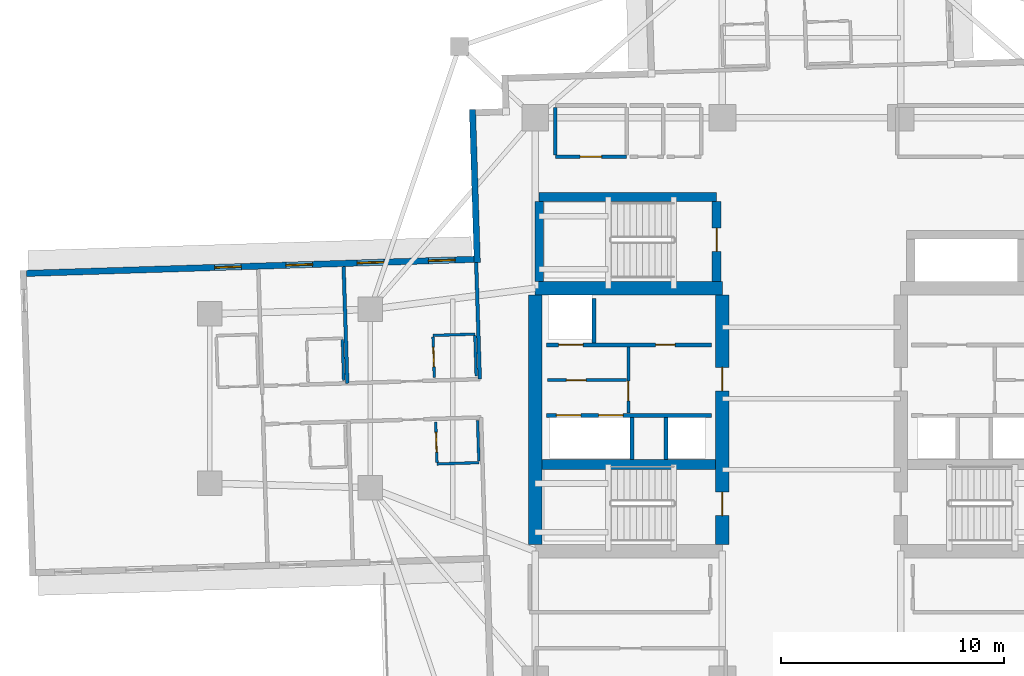
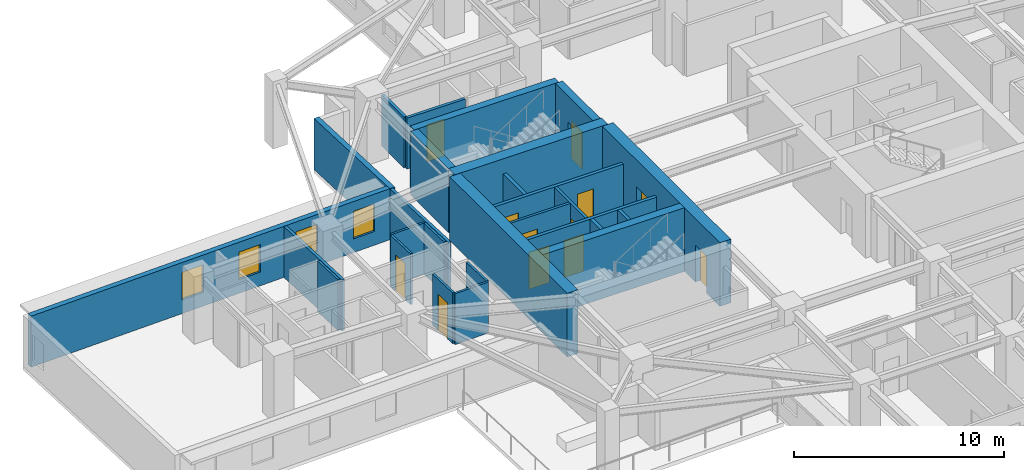
# One storey, part 5 of 14: 27 walls, 12 doors, 4 windows, 16 openings.
"""IFC4 building model written with IfcOpenShell, lengths in metres."""

from ifc_helpers import new_model, si_unit, direction, frame, frame_2d, origin, place, context, subcontext, project, spatial, rectangle, extrude, material, layer, layer_set, type_object, element, fill, save


model = new_model("IFC4")

# Units and contexts
model_context = context("Model", 3, precision=1e-05, world=origin(), true_north=direction((0.0, 1.0)))
body_context = subcontext(model_context, "Body", "Model", "MODEL_VIEW")
ifc_project = project(units=[si_unit("LENGTHUNIT", "METRE"), si_unit("AREAUNIT", "SQUARE_METRE"), si_unit("VOLUMEUNIT", "CUBIC_METRE"), si_unit("PLANEANGLEUNIT", "RADIAN"), si_unit("MASSUNIT", "GRAM", prefix="KILO")], contexts=[model_context])

# Site, building, storey
site_placement = place(None, origin())
site = spatial("IfcSite", under=ifc_project, at=site_placement, CompositionType="ELEMENT")
building_placement = place(site_placement, origin())
building = spatial("IfcBuilding", under=site, at=building_placement, Name="Qingluan Cross Belvedere", CompositionType="ELEMENT")
storey_placement = place(building_placement, frame((0.0, 0.0, 112.5)))
storey = spatial("IfcBuildingStorey", under=building, at=storey_placement, Name="L28", CompositionType="ELEMENT", Elevation=112.5)

# Walls
ifc_material_1 = material(Name="Concrete C50", Category="concrete")
ifc_layer_1 = layer(ifc_material_1, 0.449951171875, Name="CoreShearWall_450")
ifc_layer_set_1 = layer_set([ifc_layer_1], Name="Concrete C50")
wall_type_1 = type_object("IfcWallType", Name="CoreShearWall_450", PredefinedType="SHEAR", material=ifc_layer_set_1)
wall_1_placement = place(storey_placement, frame((-12.094970703125, -2.9599609375, 0.0), z_axis=(0.0, 0.0, 1.0), x_axis=(1.0, 0.0, 0.0)))
element("IfcWall", 1, at=wall_1_placement, inside=storey, type_object=wall_type_1, Name="Split core W shear wall L28-M", PredefinedType="SHEAR", context=body_context, shape_type="SweptSolid", body=[
    extrude(rectangle(XDim=7.7900390625, YDim=0.449951171875, at=frame_2d((3.89501953125, 0.0))), origin(), (0.0, 0.0, 1.0), 3.699951171875),
])
wall_2_placement = place(storey_placement, frame((-12.219970703125, 9.0400390625, 0.0), z_axis=(0.0, 0.0, 1.0), x_axis=(1.0, 0.0, 0.0)))
element("IfcWall", 2, at=wall_2_placement, inside=storey, type_object=wall_type_1, Name="Stair ST3 structural wall N L28", PredefinedType="SHEAR", context=body_context, shape_type="SweptSolid", body=[
    extrude(rectangle(XDim=7.9599609375, YDim=0.39990234375, at=frame_2d((3.97998046875, 0.0))), origin(), (0.0, 0.0, 1.0), 3.699951171875),
])
wall_3_placement = place(storey_placement, frame((-12.219970703125, 5.2548828125, 0.0), z_axis=(0.0, 0.0, 1.0), x_axis=(0.0, 1.0, 0.0)))
element("IfcWall", 3, at=wall_3_placement, inside=storey, type_object=wall_type_1, Name="Stair ST3 structural wall W L28", PredefinedType="SHEAR", context=body_context, shape_type="SweptSolid", body=[
    extrude(rectangle(XDim=3.580078125, YDim=0.39990234375, at=frame_2d((1.7900390625, 0.0))), origin(), (0.0, 0.0, 1.0), 3.699951171875),
])

# Wall, opening, door
wall_4_placement = place(storey_placement, frame((-4.260009765625, 5.2548828125, 0.0), z_axis=(0.0, 0.0, 1.0), x_axis=(0.0, 1.0, 0.0)))
wall_4 = element("IfcWall", 4, at=wall_4_placement, inside=storey, type_object=wall_type_1, Name="Stair ST3 structural wall E L28", PredefinedType="SHEAR", context=body_context, shape_type="SweptSolid", body=[
    extrude(rectangle(XDim=3.580078125, YDim=0.39990234375, at=frame_2d((1.7900390625, 0.0))), origin(), (0.0, 0.0, 1.0), 3.699951171875),
])
opening_1_placement = place(wall_4_placement, frame((1.344970703125, 0.0, 0.0)))
opening_1 = element("IfcOpeningElement", 5, at=opening_1_placement, cuts=wall_4, Name="Opening FD-B11", PredefinedType="OPENING", context=body_context, shape_type="SweptSolid", body=[
    extrude(rectangle(XDim=1.050048828125, YDim=2.14990234375, at=frame_2d((0.52490234375, 1.074951171875))), frame((0.0, 0.2099609375, 0.0), z_axis=(0.0, -1.0, 0.0), x_axis=(1.0, 0.0, 0.0)), (0.0, 0.0, 1.0), 0.419921875),
])
ifc_material_2 = material(Name="Steel Class B smoke-seal fire door", Category="steel")
door_type_1 = type_object("IfcDoorType", Name="StairLobbyFireDoor_FDB", OperationType="NOTDEFINED", PredefinedType="DOOR", material=ifc_material_2)
door_1_placement = place(opening_1_placement, origin())
door_1 = element("IfcDoor", 6, at=door_1_placement, inside=storey, type_object=door_type_1, Name="Smoke-proof stair ST3 fire door L28", OperationType="SINGLE_SWING_RIGHT", OverallHeight=2.14990234375, OverallWidth=1.050048828125, PredefinedType="DOOR", context=body_context, shape_type="SweptSolid", body=[
    extrude(rectangle(XDim=1.050048828125, YDim=2.14990234375, at=frame_2d((0.52490234375, 1.074951171875))), frame((0.0, 0.02490234375, 0.0), z_axis=(0.0, -1.0, 0.0), x_axis=(1.0, 0.0, 0.0)), (0.0, 0.0, 1.0), 0.050048828125),
])
fill(opening_1, door_1)

# Walls
ifc_material_3 = material(Name="Concrete C60", Category="concrete")
ifc_layer_2 = layer(ifc_material_3, 0.60009765625, Name="CoreShearWall_600")
ifc_layer_set_2 = layer_set([ifc_layer_2], Name="Concrete C60")
wall_type_2 = type_object("IfcWallType", Name="CoreShearWall_600", PredefinedType="SHEAR", material=ifc_layer_set_2)
wall_5_placement = place(storey_placement, frame((-12.39990234375, 4.949951171875, 0.0), z_axis=(0.0, 0.0, 1.0), x_axis=(1.0, 0.0, 0.0)))
element("IfcWall", 7, at=wall_5_placement, inside=storey, type_object=wall_type_2, Name="Split core W shear wall L28-N", PredefinedType="SHEAR", context=body_context, shape_type="SweptSolid", body=[
    extrude(rectangle(XDim=8.39990234375, YDim=0.60009765625, at=frame_2d((4.199951171875, 0.0))), origin(), (0.0, 0.0, 1.0), 3.699951171875),
])
wall_6_placement = place(storey_placement, frame((-12.39990234375, -6.544921875, 0.0), z_axis=(0.0, 0.0, 1.0), x_axis=(0.0, 1.0, 0.0)))
element("IfcWall", 8, at=wall_6_placement, inside=storey, type_object=wall_type_2, Name="Split core W shear wall L28-W", PredefinedType="SHEAR", context=body_context, shape_type="SweptSolid", body=[
    extrude(rectangle(XDim=11.18994140625, YDim=0.60009765625, at=frame_2d((5.594970703125, 0.0))), origin(), (0.0, 0.0, 1.0), 3.699951171875),
])

# Wall, openings, doors
wall_7_placement = place(storey_placement, frame((-4.0, -6.544921875, 0.0), z_axis=(0.0, 0.0, 1.0), x_axis=(0.0, 1.0, 0.0)))
wall_7 = element("IfcWall", 9, at=wall_7_placement, inside=storey, type_object=wall_type_2, Name="Split core W shear wall L28-E", PredefinedType="SHEAR", context=body_context, shape_type="SweptSolid", body=[
    extrude(rectangle(XDim=11.18994140625, YDim=0.60009765625, at=frame_2d((5.594970703125, 0.0))), origin(), (0.0, 0.0, 1.0), 3.699951171875),
])
opening_2_placement = place(wall_7_placement, frame((1.294921875, 0.0, 0.0)))
opening_2 = element("IfcOpeningElement", 10, at=opening_2_placement, cuts=wall_7, Name="Opening FD-B11", PredefinedType="OPENING", context=body_context, shape_type="SweptSolid", body=[
    extrude(rectangle(XDim=1.050048828125, YDim=2.14990234375, at=frame_2d((0.52490234375, 1.074951171875))), frame((0.0, 0.31005859375, 0.0), z_axis=(0.0, -1.0, 0.0), x_axis=(1.0, 0.0, 0.0)), (0.0, 0.0, 1.0), 0.6201171875),
])
opening_3_placement = place(wall_7_placement, frame((6.89501953125, 0.0, 0.0)))
opening_3 = element("IfcOpeningElement", 11, at=opening_3_placement, cuts=wall_7, Name="Opening FD-B11", PredefinedType="OPENING", context=body_context, shape_type="SweptSolid", body=[
    extrude(rectangle(XDim=1.050048828125, YDim=2.14990234375, at=frame_2d((0.52490234375, 1.074951171875))), frame((0.0, 0.31005859375, 0.0), z_axis=(0.0, -1.0, 0.0), x_axis=(1.0, 0.0, 0.0)), (0.0, 0.0, 1.0), 0.6201171875),
])
door_2_placement = place(opening_2_placement, origin())
door_2 = element("IfcDoor", 12, at=door_2_placement, inside=storey, type_object=door_type_1, Name="Smoke-proof stair ST1 fire door L28", OperationType="SINGLE_SWING_RIGHT", OverallHeight=2.14990234375, OverallWidth=1.050048828125, PredefinedType="DOOR", context=body_context, shape_type="SweptSolid", body=[
    extrude(rectangle(XDim=1.050048828125, YDim=2.14990234375, at=frame_2d((0.52490234375, 1.074951171875))), frame((0.0, 0.02490234375, 0.0), z_axis=(0.0, -1.0, 0.0), x_axis=(1.0, 0.0, 0.0)), (0.0, 0.0, 1.0), 0.050048828125),
])
fill(opening_2, door_2)
door_3_placement = place(opening_3_placement, origin())
door_3 = element("IfcDoor", 13, at=door_3_placement, inside=storey, type_object=door_type_1, Name="Firefighting lobby West fire door L28", OperationType="SINGLE_SWING_RIGHT", OverallHeight=2.14990234375, OverallWidth=1.050048828125, PredefinedType="DOOR", context=body_context, shape_type="SweptSolid", body=[
    extrude(rectangle(XDim=1.050048828125, YDim=2.14990234375, at=frame_2d((0.52490234375, 1.074951171875))), frame((0.0, 0.02490234375, 0.0), z_axis=(0.0, -1.0, 0.0), x_axis=(1.0, 0.0, 0.0)), (0.0, 0.0, 1.0), 0.050048828125),
])
fill(opening_3, door_3)

# Wall, opening, door
ifc_material_4 = material(Name="Gypsum plasterboard on steel stud acoustic partition", Category="steel")
ifc_layer_3 = layer(ifc_material_4, 0.159912109375, Name="CorridorPartition_160")
ifc_layer_set_3 = layer_set([ifc_layer_3], Name="Gypsum plasterboard on steel stud acoustic partition")
wall_type_3 = type_object("IfcWallType", Name="CorridorPartition_160", PredefinedType="PARTITIONING", material=ifc_layer_set_3)
wall_8_placement = place(storey_placement, frame((-11.85009765625, 0.830078125, 0.0), z_axis=(0.0, 0.0, 1.0), x_axis=(1.0, 0.0, 0.0)))
wall_8 = element("IfcWall", 14, at=wall_8_placement, inside=storey, type_object=wall_type_3, Name="Partition L28:w", PredefinedType="PARTITIONING", context=body_context, shape_type="SweptSolid", body=[
    extrude(rectangle(XDim=3.552001953125, YDim=0.139892578125, at=frame_2d((1.77587890625, 0.0))), origin(), (0.0, 0.0, 1.0), 2.9599609375),
])
opening_4_placement = place(wall_8_placement, frame((0.85009765625, 0.0, 0.0)))
opening_4 = element("IfcOpeningElement", 15, at=opening_4_placement, cuts=wall_8, Name="Opening FD-B10", PredefinedType="OPENING", context=body_context, shape_type="SweptSolid", body=[
    extrude(rectangle(XDim=0.8798828125, YDim=2.10009765625, at=frame_2d((0.43994140625, 1.050048828125))), frame((0.0, 0.079833984375, 0.0), z_axis=(0.0, -1.0, 0.0), x_axis=(1.0, 0.0, 0.0)), (0.0, 0.0, 1.0), 0.159912109375),
])
ifc_material_5 = material(Name="Steel Class B service fire door", Category="steel")
door_type_2 = type_object("IfcDoorType", Name="RiserServiceFireDoor_FDB", OperationType="NOTDEFINED", PredefinedType="DOOR", material=ifc_material_5)
door_4_placement = place(opening_4_placement, origin())
door_4 = element("IfcDoor", 16, at=door_4_placement, inside=storey, type_object=door_type_2, Name="Service closet inner door L28", OperationType="SINGLE_SWING_LEFT", OverallHeight=2.10009765625, OverallWidth=0.8798828125, PredefinedType="DOOR", context=body_context, shape_type="SweptSolid", body=[
    extrude(rectangle(XDim=0.8798828125, YDim=2.10009765625, at=frame_2d((0.43994140625, 1.050048828125))), frame((0.0, 0.02490234375, 0.0), z_axis=(0.0, -1.0, 0.0), x_axis=(1.0, 0.0, 0.0)), (0.0, 0.0, 1.0), 0.050048828125),
])
fill(opening_4, door_4)

wall_9_placement = place(storey_placement, frame((-11.5, 10.85009765625, 0.0), z_axis=(0.0, 0.0, 1.0), x_axis=(1.0, 0.0, 0.0)))
wall_9 = element("IfcWall", 17, at=wall_9_placement, inside=storey, type_object=wall_type_3, Name="Partition L28:q_nw_occ:S", PredefinedType="PARTITIONING", context=body_context, shape_type="SweptSolid", body=[
    extrude(rectangle(XDim=3.199951171875, YDim=0.159912109375, at=frame_2d((1.60009765625, 0.0))), origin(), (0.0, 0.0, 1.0), 2.9599609375),
])
opening_5_placement = place(wall_9_placement, frame((1.1201171875, 0.0, 0.0)))
opening_5 = element("IfcOpeningElement", 18, at=opening_5_placement, cuts=wall_9, Name="Opening GD-10", PredefinedType="OPENING", context=body_context, shape_type="SweptSolid", body=[
    extrude(rectangle(XDim=0.9599609375, YDim=2.14990234375, at=frame_2d((0.47998046875, 1.074951171875))), frame((0.0, 0.08984375, 0.0), z_axis=(0.0, -1.0, 0.0), x_axis=(1.0, 0.0, 0.0)), (0.0, 0.0, 1.0), 0.179931640625),
])
ifc_material_6 = material(Name="Timber oak fire-rated acoustic guestroom door", Category="wood")
door_type_3 = type_object("IfcDoorType", Name="GuestEntryDoor_FD60", OperationType="NOTDEFINED", PredefinedType="DOOR", material=ifc_material_6)
door_5_placement = place(opening_5_placement, origin())
door_5 = element("IfcDoor", 19, at=door_5_placement, inside=storey, type_object=door_type_3, Name="Northwest corner reading salon L28 door", OperationType="SINGLE_SWING_RIGHT", OverallHeight=2.14990234375, OverallWidth=0.9599609375, PredefinedType="DOOR", context=body_context, shape_type="SweptSolid", body=[
    extrude(rectangle(XDim=0.9599609375, YDim=2.14990234375, at=frame_2d((0.47998046875, 1.074951171875))), frame((0.0, 0.02490234375, 0.0), z_axis=(0.0, -1.0, 0.0), x_axis=(1.0, 0.0, 0.0)), (0.0, 0.0, 1.0), 0.050048828125),
])
fill(opening_5, door_5)

# Walls
wall_10_placement = place(storey_placement, frame((-11.5, 10.93505859375, 0.0), z_axis=(0.0, 0.0, 1.0), x_axis=(0.0, 1.0, 0.0)))
element("IfcWall", 20, at=wall_10_placement, inside=storey, type_object=wall_type_3, Name="Partition L28:q_nw_occ:W", PredefinedType="PARTITIONING", context=body_context, shape_type="SweptSolid", body=[
    extrude(rectangle(XDim=2.1298828125, YDim=0.159912109375, at=frame_2d((1.06494140625, 0.0))), origin(), (0.0, 0.0, 1.0), 2.9599609375),
])
wall_11_placement = place(storey_placement, frame((-14.884765625, 0.872802734375, 0.0), z_axis=(0.0, 0.0, 1.0), x_axis=(-0.031450353991, 0.99950531526, 0.0)))
element("IfcWall", 21, at=wall_11_placement, inside=storey, type_object=wall_type_3, Name="Partition L28:W:s0", PredefinedType="PARTITIONING", context=body_context, shape_type="SweptSolid", body=[
    extrude(rectangle(XDim=5.232177734375, YDim=0.159912109375, at=frame_2d((2.6162109375, 0.0))), origin(), (0.0, 0.0, 1.0), 2.9599609375),
])
wall_12_placement = place(storey_placement, frame((-20.831787109375, 0.68603515625, 0.0), z_axis=(0.0, 0.0, 1.0), x_axis=(-0.031405202513, 0.999506734972, 0.0)))
element("IfcWall", 22, at=wall_12_placement, inside=storey, type_object=wall_type_3, Name="Partition L28:W:d0_0", PredefinedType="PARTITIONING", context=body_context, shape_type="SweptSolid", body=[
    extrude(rectangle(XDim=5.23193359375, YDim=0.159912109375, at=frame_2d((2.615966796875, 0.0))), origin(), (0.0, 0.0, 1.0), 2.9599609375),
])

# Wall, opening, door
ifc_material_7 = material(Name="Moisture-resistant gypsum board lining")
ifc_layer_4 = layer(ifc_material_7, 0.1201171875, Name="EnsuiteWetPartition_120")
ifc_layer_set_4 = layer_set([ifc_layer_4], Name="Moisture-resistant gypsum board lining")
wall_type_4 = type_object("IfcWallType", Name="EnsuiteWetPartition_120", PredefinedType="PARTITIONING", material=ifc_layer_set_4)
wall_13_placement = place(storey_placement, frame((-16.92822265625, 0.94873046875, 0.0), z_axis=(0.0, 0.0, 1.0), x_axis=(-0.031389704724, 0.999507221803, 0.0)))
wall_13 = element("IfcWall", 23, at=wall_13_placement, inside=storey, type_object=wall_type_4, Name="Partition L28:W:bs0_0", PredefinedType="PARTITIONING", context=body_context, shape_type="SweptSolid", body=[
    extrude(rectangle(XDim=1.820068359375, YDim=0.1201171875, at=frame_2d((0.91015625, 0.0))), origin(), (0.0, 0.0, 1.0), 2.9599609375),
])
opening_6_placement = place(wall_13_placement, frame((0.469970703125, 0.0, 0.0)))
opening_6 = element("IfcOpeningElement", 24, at=opening_6_placement, cuts=wall_13, Name="Opening BD-09", PredefinedType="OPENING", context=body_context, shape_type="SweptSolid", body=[
    extrude(rectangle(XDim=0.8798828125, YDim=2.10009765625, at=frame_2d((0.43994140625, 1.050048828125))), frame((0.0, 0.070068359375, 0.0), z_axis=(0.0, -1.0, 0.0), x_axis=(1.0, 0.0, 0.0)), (0.0, 0.0, 1.0), 0.14013671875),
])
ifc_material_8 = material(Name="Moisture-sealed timber en-suite door", Category="wood")
door_type_4 = type_object("IfcDoorType", Name="BathroomDoor_880", OperationType="NOTDEFINED", PredefinedType="DOOR", material=ifc_material_8)
door_6_placement = place(opening_6_placement, origin())
door_6 = element("IfcDoor", 25, at=door_6_placement, inside=storey, type_object=door_type_4, Name="Bathroom door 2807", OperationType="SINGLE_SWING_LEFT", OverallHeight=2.10009765625, OverallWidth=0.8798828125, PredefinedType="DOOR", context=body_context, shape_type="SweptSolid", body=[
    extrude(rectangle(XDim=0.8798828125, YDim=2.10009765625, at=frame_2d((0.43994140625, 1.050048828125))), frame((0.0, 0.02490234375, 0.0), z_axis=(0.0, -1.0, 0.0), x_axis=(1.0, 0.0, 0.0)), (0.0, 0.0, 1.0), 0.050048828125),
])
fill(opening_6, door_6)

# Walls
wall_14_placement = place(storey_placement, frame((-15.049072265625, 1.0078125, 0.0), z_axis=(0.0, 0.0, 1.0), x_axis=(-0.031389704724, 0.999507221803, 0.0)))
element("IfcWall", 26, at=wall_14_placement, inside=storey, type_object=wall_type_4, Name="Partition L28:W:bw0_0", PredefinedType="PARTITIONING", context=body_context, shape_type="SweptSolid", body=[
    extrude(rectangle(XDim=1.820068359375, YDim=0.1201171875, at=frame_2d((0.91015625, 0.0))), origin(), (0.0, 0.0, 1.0), 2.9599609375),
])
wall_15_placement = place(storey_placement, frame((-15.1083984375, 2.891845703125, 0.0), z_axis=(0.0, 0.0, 1.0), x_axis=(-0.999505975261, -0.031429371883, 0.0)))
element("IfcWall", 27, at=wall_15_placement, inside=storey, type_object=wall_type_4, Name="Partition L28:W:bn0_0", PredefinedType="PARTITIONING", context=body_context, shape_type="SweptSolid", body=[
    extrude(rectangle(XDim=1.8798828125, YDim=0.1201171875, at=frame_2d((0.93994140625, 0.0))), origin(), (0.0, 0.0, 1.0), 2.9599609375),
])
wall_16_placement = place(storey_placement, frame((-20.99609375, 0.82080078125, 0.0), z_axis=(0.0, 0.0, 1.0), x_axis=(-0.031389704724, 0.999507221803, 0.0)))
element("IfcWall", 28, at=wall_16_placement, inside=storey, type_object=wall_type_4, Name="Partition L28:W:bw0_1", PredefinedType="PARTITIONING", context=body_context, shape_type="SweptSolid", body=[
    extrude(rectangle(XDim=1.820068359375, YDim=0.1201171875, at=frame_2d((0.91015625, 0.0))), origin(), (0.0, 0.0, 1.0), 2.9599609375),
])

# Wall, opening, door
wall_17_placement = place(storey_placement, frame((-16.80810546875, -2.869384765625, 0.0), z_axis=(0.0, 0.0, 1.0), x_axis=(-0.031389704724, 0.999507221803, 0.0)))
wall_17 = element("IfcWall", 29, at=wall_17_placement, inside=storey, type_object=wall_type_4, Name="Partition L28:W:bs1_0", PredefinedType="PARTITIONING", context=body_context, shape_type="SweptSolid", body=[
    extrude(rectangle(XDim=1.820068359375, YDim=0.1201171875, at=frame_2d((0.91015625, 0.0))), origin(), (0.0, 0.0, 1.0), 2.9599609375),
])
opening_7_placement = place(wall_17_placement, frame((0.469970703125, 0.0, 0.0)))
opening_7 = element("IfcOpeningElement", 30, at=opening_7_placement, cuts=wall_17, Name="Opening BD-09", PredefinedType="OPENING", context=body_context, shape_type="SweptSolid", body=[
    extrude(rectangle(XDim=0.8798828125, YDim=2.10009765625, at=frame_2d((0.43994140625, 1.050048828125))), frame((0.0, 0.070068359375, 0.0), z_axis=(0.0, -1.0, 0.0), x_axis=(1.0, 0.0, 0.0)), (0.0, 0.0, 1.0), 0.14013671875),
])
door_7_placement = place(opening_7_placement, origin())
door_7 = element("IfcDoor", 31, at=door_7_placement, inside=storey, type_object=door_type_4, Name="Bathroom door 2809", OperationType="SINGLE_SWING_LEFT", OverallHeight=2.10009765625, OverallWidth=0.8798828125, PredefinedType="DOOR", context=body_context, shape_type="SweptSolid", body=[
    extrude(rectangle(XDim=0.8798828125, YDim=2.10009765625, at=frame_2d((0.43994140625, 1.050048828125))), frame((0.0, 0.02490234375, 0.0), z_axis=(0.0, -1.0, 0.0), x_axis=(1.0, 0.0, 0.0)), (0.0, 0.0, 1.0), 0.050048828125),
])
fill(opening_7, door_7)

# Walls
wall_18_placement = place(storey_placement, frame((-14.92919921875, -2.810302734375, 0.0), z_axis=(0.0, 0.0, 1.0), x_axis=(-0.031389704724, 0.999507221803, 0.0)))
element("IfcWall", 32, at=wall_18_placement, inside=storey, type_object=wall_type_4, Name="Partition L28:W:bw1_0", PredefinedType="PARTITIONING", context=body_context, shape_type="SweptSolid", body=[
    extrude(rectangle(XDim=1.820068359375, YDim=0.1201171875, at=frame_2d((0.91015625, 0.0))), origin(), (0.0, 0.0, 1.0), 2.9599609375),
])
wall_19_placement = place(storey_placement, frame((-14.927001953125, -2.875244140625, 0.0), z_axis=(0.0, 0.0, 1.0), x_axis=(-0.999506103526, -0.031425292588, 0.0)))
element("IfcWall", 33, at=wall_19_placement, inside=storey, type_object=wall_type_4, Name="Partition L28:W:bc1_0", PredefinedType="PARTITIONING", context=body_context, shape_type="SweptSolid", body=[
    extrude(rectangle(XDim=1.880126953125, YDim=0.1201171875, at=frame_2d((0.93994140625, 0.0))), origin(), (0.0, 0.0, 1.0), 2.9599609375),
])

# Wall, openings, windows
ifc_material_9 = material(Name="Precast concrete C45", Category="concrete")
ifc_layer_5 = layer(ifc_material_9, 0.280029296875, Name="PrecastFacadeWall_280")
ifc_layer_set_5 = layer_set([ifc_layer_5], Name="Precast concrete C45")
wall_type_5 = type_object("IfcWallType", Name="PrecastFacadeWall_280", PredefinedType="STANDARD", material=ifc_layer_set_5)
wall_20_placement = place(storey_placement, frame((-15.143798828125, 6.247314453125, 0.0), z_axis=(0.0, 0.0, 1.0), x_axis=(-0.999506955354, -0.031398187845, 0.0)))
wall_20 = element("IfcWall", 34, at=wall_20_placement, inside=storey, type_object=wall_type_5, Name="Facade wall L28-WA", PredefinedType="STANDARD", context=body_context, shape_type="SweptSolid", body=[
    extrude(rectangle(XDim=20.10009765625, YDim=0.280029296875, at=frame_2d((10.050048828125, 0.0))), origin(), (0.0, 0.0, 1.0), 2.969970703125),
])
opening_8_placement = place(wall_20_placement, frame((0.85009765625, 0.0, 0.800048828125)))
opening_8 = element("IfcOpeningElement", 35, at=opening_8_placement, cuts=wall_20, Name="Opening W-02", PredefinedType="OPENING", context=body_context, shape_type="SweptSolid", body=[
    extrude(rectangle(XDim=1.199951171875, YDim=1.60009765625, at=frame_2d((0.60009765625, 0.800048828125))), frame((0.0, 0.14990234375, 0.0), z_axis=(0.0, -1.0, 0.0), x_axis=(1.0, 0.0, 0.0)), (0.0, 0.0, 1.0), 0.300048828125),
])
opening_9_placement = place(wall_20_placement, frame((4.050048828125, 0.0, 0.800048828125)))
opening_9 = element("IfcOpeningElement", 36, at=opening_9_placement, cuts=wall_20, Name="Opening W-02", PredefinedType="OPENING", context=body_context, shape_type="SweptSolid", body=[
    extrude(rectangle(XDim=1.199951171875, YDim=1.60009765625, at=frame_2d((0.60009765625, 0.800048828125))), frame((0.0, 0.14990234375, 0.0), z_axis=(0.0, -1.0, 0.0), x_axis=(1.0, 0.0, 0.0)), (0.0, 0.0, 1.0), 0.300048828125),
])
opening_10_placement = place(wall_20_placement, frame((7.25, 0.0, 0.800048828125)))
opening_10 = element("IfcOpeningElement", 37, at=opening_10_placement, cuts=wall_20, Name="Opening W-02", PredefinedType="OPENING", context=body_context, shape_type="SweptSolid", body=[
    extrude(rectangle(XDim=1.199951171875, YDim=1.60009765625, at=frame_2d((0.60009765625, 0.800048828125))), frame((0.0, 0.14990234375, 0.0), z_axis=(0.0, -1.0, 0.0), x_axis=(1.0, 0.0, 0.0)), (0.0, 0.0, 1.0), 0.300048828125),
])
opening_11_placement = place(wall_20_placement, frame((10.449951171875, 0.0, 0.800048828125)))
opening_11 = element("IfcOpeningElement", 38, at=opening_11_placement, cuts=wall_20, Name="Opening W-02", PredefinedType="OPENING", context=body_context, shape_type="SweptSolid", body=[
    extrude(rectangle(XDim=1.199951171875, YDim=1.60009765625, at=frame_2d((0.60009765625, 0.800048828125))), frame((0.0, 0.14990234375, 0.0), z_axis=(0.0, -1.0, 0.0), x_axis=(1.0, 0.0, 0.0)), (0.0, 0.0, 1.0), 0.300048828125),
])
ifc_material_10 = material(Name="Thermally broken triple Low-E glass in aluminium frame", Category="aluminium")
window_type = type_object("IfcWindowType", Name="TriRibbonWin_1200x1600", PartitioningType="SINGLE_PANEL", PredefinedType="WINDOW", material=ifc_material_10)
window_1_placement = place(opening_8_placement, origin())
window_1 = element("IfcWindow", 39, at=window_1_placement, inside=storey, type_object=window_type, Name="Ribbon window L28-WA-1", OverallHeight=1.60009765625, OverallWidth=1.199951171875, PartitioningType="SINGLE_PANEL", PredefinedType="WINDOW", context=body_context, shape_type="SweptSolid", body=[
    extrude(rectangle(XDim=1.199951171875, YDim=1.60009765625, at=frame_2d((0.60009765625, 0.800048828125))), frame((0.0, 0.030029296875, 0.0), z_axis=(0.0, -1.0, 0.0), x_axis=(1.0, 0.0, 0.0)), (0.0, 0.0, 1.0), 0.06005859375),
])
fill(opening_8, window_1)
window_2_placement = place(opening_9_placement, origin())
window_2 = element("IfcWindow", 40, at=window_2_placement, inside=storey, type_object=window_type, Name="Ribbon window L28-WA-2", OverallHeight=1.60009765625, OverallWidth=1.199951171875, PartitioningType="SINGLE_PANEL", PredefinedType="WINDOW", context=body_context, shape_type="SweptSolid", body=[
    extrude(rectangle(XDim=1.199951171875, YDim=1.60009765625, at=frame_2d((0.60009765625, 0.800048828125))), frame((0.0, 0.030029296875, 0.0), z_axis=(0.0, -1.0, 0.0), x_axis=(1.0, 0.0, 0.0)), (0.0, 0.0, 1.0), 0.06005859375),
])
fill(opening_9, window_2)
window_3_placement = place(opening_10_placement, origin())
window_3 = element("IfcWindow", 41, at=window_3_placement, inside=storey, type_object=window_type, Name="Ribbon window L28-WA-3", OverallHeight=1.60009765625, OverallWidth=1.199951171875, PartitioningType="SINGLE_PANEL", PredefinedType="WINDOW", context=body_context, shape_type="SweptSolid", body=[
    extrude(rectangle(XDim=1.199951171875, YDim=1.60009765625, at=frame_2d((0.60009765625, 0.800048828125))), frame((0.0, 0.030029296875, 0.0), z_axis=(0.0, -1.0, 0.0), x_axis=(1.0, 0.0, 0.0)), (0.0, 0.0, 1.0), 0.06005859375),
])
fill(opening_10, window_3)
window_4_placement = place(opening_11_placement, origin())
window_4 = element("IfcWindow", 42, at=window_4_placement, inside=storey, type_object=window_type, Name="Ribbon window L28-WA-4", OverallHeight=1.60009765625, OverallWidth=1.199951171875, PartitioningType="SINGLE_PANEL", PredefinedType="WINDOW", context=body_context, shape_type="SweptSolid", body=[
    extrude(rectangle(XDim=1.199951171875, YDim=1.60009765625, at=frame_2d((0.60009765625, 0.800048828125))), frame((0.0, 0.030029296875, 0.0), z_axis=(0.0, -1.0, 0.0), x_axis=(1.0, 0.0, 0.0)), (0.0, 0.0, 1.0), 0.06005859375),
])
fill(opening_11, window_4)

# Wall
wall_21_placement = place(storey_placement, frame((-14.99951171875, 6.11181640625, 0.0), z_axis=(0.0, 0.0, 1.0), x_axis=(-0.031389189386, 0.999507237988, 0.0)))
element("IfcWall", 43, at=wall_21_placement, inside=storey, type_object=wall_type_5, Name="Corner wall L28-NW1", PredefinedType="STANDARD", context=body_context, shape_type="SweptSolid", body=[
    extrude(rectangle(XDim=6.860107421875, YDim=0.280029296875, at=frame_2d((3.43017578125, 0.0))), origin(), (0.0, 0.0, 1.0), 2.969970703125),
])

# Wall, openings, doors
ifc_material_11 = material(Name="Concrete C40", Category="concrete")
ifc_layer_6 = layer(ifc_material_11, 0.219970703125, Name="ShaftEnclosureWall_250")
ifc_layer_set_6 = layer_set([ifc_layer_6], Name="Concrete C40")
wall_type_6 = type_object("IfcWallType", Name="ShaftEnclosureWall_250", PredefinedType="SOLIDWALL", material=ifc_layer_set_6)
wall_22_placement = place(storey_placement, frame((-11.89990234375, 2.409912109375, 0.0), z_axis=(0.0, 0.0, 1.0), x_axis=(1.0, 0.0, 0.0)))
wall_22 = element("IfcWall", 44, at=wall_22_placement, inside=storey, type_object=wall_type_6, Name="Core-W north hoistway wall L28", PredefinedType="SOLIDWALL", context=body_context, shape_type="SweptSolid", body=[
    extrude(rectangle(XDim=7.419921875, YDim=0.179931640625, at=frame_2d((3.7099609375, 0.0))), origin(), (0.0, 0.0, 1.0), 2.9599609375),
])
opening_12_placement = place(wall_22_placement, frame((0.550048828125, 0.0, 0.0)))
opening_12 = element("IfcOpeningElement", 45, at=opening_12_placement, cuts=wall_22, Name="Opening LD-11", PredefinedType="OPENING", context=body_context, shape_type="SweptSolid", body=[
    extrude(rectangle(XDim=1.10009765625, YDim=2.14990234375, at=frame_2d((0.550048828125, 1.074951171875))), frame((0.0, 0.099853515625, 0.0), z_axis=(0.0, -1.0, 0.0), x_axis=(1.0, 0.0, 0.0)), (0.0, 0.0, 1.0), 0.199951171875),
])
opening_13_placement = place(wall_22_placement, frame((4.89990234375, 0.0, 0.0)))
opening_13 = element("IfcOpeningElement", 46, at=opening_13_placement, cuts=wall_22, Name="Opening FD-B10", PredefinedType="OPENING", context=body_context, shape_type="SweptSolid", body=[
    extrude(rectangle(XDim=0.8798828125, YDim=2.10009765625, at=frame_2d((0.43994140625, 1.050048828125))), frame((0.0, 0.099853515625, 0.0), z_axis=(0.0, -1.0, 0.0), x_axis=(1.0, 0.0, 0.0)), (0.0, 0.0, 1.0), 0.199951171875),
])
ifc_material_12 = material(Name="Brushed stainless steel centre-opening lift landing door", Category="steel")
door_type_5 = type_object("IfcDoorType", Name="LiftLandingSlidingDoor_1100", OperationType="DOUBLE_DOOR_SLIDING", PredefinedType="DOOR", material=ifc_material_12)
door_8_placement = place(opening_12_placement, origin())
door_8 = element("IfcDoor", 47, at=door_8_placement, inside=storey, type_object=door_type_5, Name="Lift landing sliding door FL1 L28", OperationType="DOUBLE_DOOR_SLIDING", OverallHeight=2.14990234375, OverallWidth=1.10009765625, PredefinedType="DOOR", context=body_context, shape_type="SweptSolid", body=[
    extrude(rectangle(XDim=1.10009765625, YDim=2.14990234375, at=frame_2d((0.550048828125, 1.074951171875))), frame((0.0, 0.02490234375, 0.0), z_axis=(0.0, -1.0, 0.0), x_axis=(1.0, 0.0, 0.0)), (0.0, 0.0, 1.0), 0.050048828125),
])
fill(opening_12, door_8)
door_9_placement = place(opening_13_placement, origin())
door_9 = element("IfcDoor", 48, at=door_9_placement, inside=storey, type_object=door_type_2, Name="Housekeeping supply room door W L28", OperationType="SINGLE_SWING_LEFT", OverallHeight=2.10009765625, OverallWidth=0.8798828125, PredefinedType="DOOR", context=body_context, shape_type="SweptSolid", body=[
    extrude(rectangle(XDim=0.8798828125, YDim=2.10009765625, at=frame_2d((0.43994140625, 1.050048828125))), frame((0.0, 0.02490234375, 0.0), z_axis=(0.0, -1.0, 0.0), x_axis=(1.0, 0.0, 0.0)), (0.0, 0.0, 1.0), 0.050048828125),
])
fill(opening_13, door_9)

wall_23_placement = place(storey_placement, frame((-11.89990234375, -0.75, 0.0), z_axis=(0.0, 0.0, 1.0), x_axis=(1.0, 0.0, 0.0)))
wall_23 = element("IfcWall", 49, at=wall_23_placement, inside=storey, type_object=wall_type_6, Name="Core-W mid hoistway wall L28", PredefinedType="SOLIDWALL", context=body_context, shape_type="SweptSolid", body=[
    extrude(rectangle(XDim=7.419921875, YDim=0.179931640625, at=frame_2d((3.7099609375, 0.0))), origin(), (0.0, 0.0, 1.0), 2.9599609375),
])
opening_14_placement = place(wall_23_placement, frame((0.449951171875, 0.0, 0.0)))
opening_14 = element("IfcOpeningElement", 50, at=opening_14_placement, cuts=wall_23, Name="Opening LD-11", PredefinedType="OPENING", context=body_context, shape_type="SweptSolid", body=[
    extrude(rectangle(XDim=1.10009765625, YDim=2.14990234375, at=frame_2d((0.550048828125, 1.074951171875))), frame((0.0, 0.099853515625, 0.0), z_axis=(0.0, -1.0, 0.0), x_axis=(1.0, 0.0, 0.0)), (0.0, 0.0, 1.0), 0.199951171875),
])
opening_15_placement = place(wall_23_placement, frame((2.35009765625, 0.0, 0.0)))
opening_15 = element("IfcOpeningElement", 51, at=opening_15_placement, cuts=wall_23, Name="Opening LD-11", PredefinedType="OPENING", context=body_context, shape_type="SweptSolid", body=[
    extrude(rectangle(XDim=1.10009765625, YDim=2.14990234375, at=frame_2d((0.550048828125, 1.074951171875))), frame((0.0, 0.099853515625, 0.0), z_axis=(0.0, -1.0, 0.0), x_axis=(1.0, 0.0, 0.0)), (0.0, 0.0, 1.0), 0.199951171875),
])
door_10_placement = place(opening_14_placement, origin())
door_10 = element("IfcDoor", 52, at=door_10_placement, inside=storey, type_object=door_type_5, Name="Lift landing sliding door LP5 L28", OperationType="DOUBLE_DOOR_SLIDING", OverallHeight=2.14990234375, OverallWidth=1.10009765625, PredefinedType="DOOR", context=body_context, shape_type="SweptSolid", body=[
    extrude(rectangle(XDim=1.10009765625, YDim=2.14990234375, at=frame_2d((0.550048828125, 1.074951171875))), frame((0.0, 0.02490234375, 0.0), z_axis=(0.0, -1.0, 0.0), x_axis=(1.0, 0.0, 0.0)), (0.0, 0.0, 1.0), 0.050048828125),
])
fill(opening_14, door_10)
door_11_placement = place(opening_15_placement, origin())
door_11 = element("IfcDoor", 53, at=door_11_placement, inside=storey, type_object=door_type_5, Name="Lift landing sliding door LP6 L28", OperationType="DOUBLE_DOOR_SLIDING", OverallHeight=2.14990234375, OverallWidth=1.10009765625, PredefinedType="DOOR", context=body_context, shape_type="SweptSolid", body=[
    extrude(rectangle(XDim=1.10009765625, YDim=2.14990234375, at=frame_2d((0.550048828125, 1.074951171875))), frame((0.0, 0.02490234375, 0.0), z_axis=(0.0, -1.0, 0.0), x_axis=(1.0, 0.0, 0.0)), (0.0, 0.0, 1.0), 0.050048828125),
])
fill(opening_15, door_11)

# Walls
wall_24_placement = place(storey_placement, frame((-9.760009765625, 2.5, 0.0), z_axis=(0.0, 0.0, 1.0), x_axis=(0.0, 1.0, 0.0)))
element("IfcWall", 54, at=wall_24_placement, inside=storey, type_object=wall_type_6, Name="Hoistway enclosure divider FL1E L28", PredefinedType="SOLIDWALL", context=body_context, shape_type="SweptSolid", body=[
    extrude(rectangle(XDim=1.989990234375, YDim=0.179931640625, at=frame_2d((0.9951171875, 0.0))), origin(), (0.0, 0.0, 1.0), 2.9599609375),
])
for number, where, z_axis, x_axis, name in (
    (55, (-8.06005859375, -2.72998046875, 0.0), (0.0, 0.0, 1.0), (0.0, 1.0, 0.0), "Hoistway enclosure divider LP6E L28"),
    (56, (-6.5400390625, -2.72998046875, 0.0), (0.0, 0.0, 1.0), (0.0, 1.0, 0.0), "Hoistway enclosure divider LP8W L28"),
):
    element("IfcWall", number, at=place(storey_placement, frame(where, z_axis=z_axis, x_axis=x_axis)), inside=storey, type_object=wall_type_6, Name=name, PredefinedType="SOLIDWALL", context=body_context, shape_type="SweptSolid", body=[
        extrude(rectangle(XDim=1.889892578125, YDim=0.179931640625, at=frame_2d((0.94482421875, 0.0))), origin(), (0.0, 0.0, 1.0), 2.9599609375),
    ])

# Wall, opening, door
wall_25_placement = place(storey_placement, frame((-8.219970703125, -0.64990234375, 0.0), z_axis=(0.0, 0.0, 1.0), x_axis=(0.0, 1.0, 0.0)))
wall_25 = element("IfcWall", 57, at=wall_25_placement, inside=storey, type_object=wall_type_6, Name="Core-W service corridor wall L28", PredefinedType="SOLIDWALL", context=body_context, shape_type="SweptSolid", body=[
    extrude(rectangle(XDim=2.9599609375, YDim=0.139892578125, at=frame_2d((1.47998046875, 0.0))), origin(), (0.0, 0.0, 1.0), 2.9599609375),
])
opening_16_placement = place(wall_25_placement, frame((0.550048828125, 0.0, 0.0)))
opening_16 = element("IfcOpeningElement", 58, at=opening_16_placement, cuts=wall_25, Name="Opening FD-B10", PredefinedType="OPENING", context=body_context, shape_type="SweptSolid", body=[
    extrude(rectangle(XDim=0.8798828125, YDim=2.10009765625, at=frame_2d((0.43994140625, 1.050048828125))), frame((0.0, 0.079833984375, 0.0), z_axis=(0.0, -1.0, 0.0), x_axis=(1.0, 0.0, 0.0)), (0.0, 0.0, 1.0), 0.159912109375),
])
door_12_placement = place(opening_16_placement, origin())
door_12 = element("IfcDoor", 59, at=door_12_placement, inside=storey, type_object=door_type_2, Name="Core-W service room door L28", OperationType="SINGLE_SWING_LEFT", OverallHeight=2.10009765625, OverallWidth=0.8798828125, PredefinedType="DOOR", context=body_context, shape_type="SweptSolid", body=[
    extrude(rectangle(XDim=0.8798828125, YDim=2.10009765625, at=frame_2d((0.43994140625, 1.050048828125))), frame((0.0, 0.02490234375, 0.0), z_axis=(0.0, -1.0, 0.0), x_axis=(1.0, 0.0, 0.0)), (0.0, 0.0, 1.0), 0.050048828125),
])
fill(opening_16, door_12)

save(model, "model.ifc")
